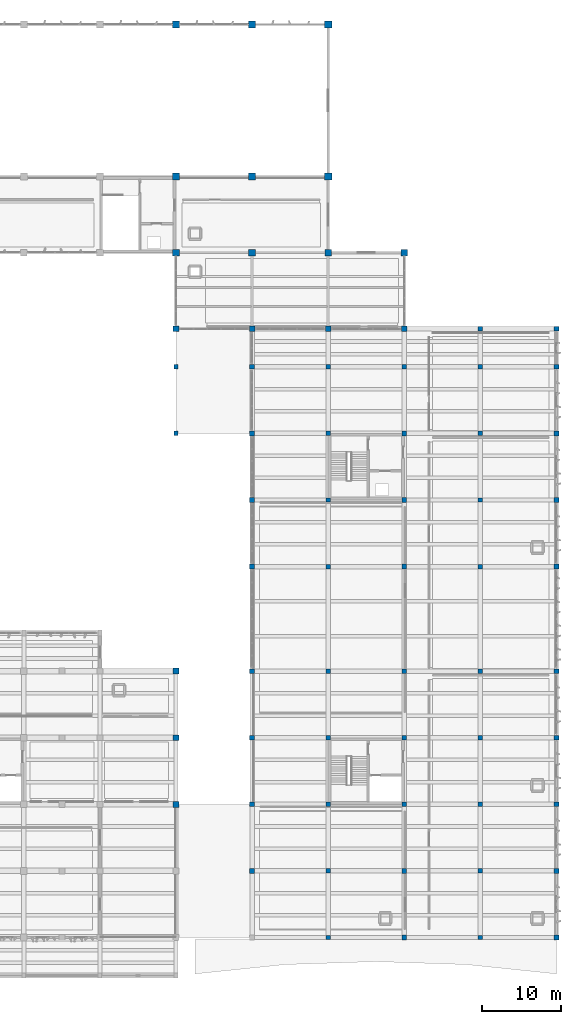
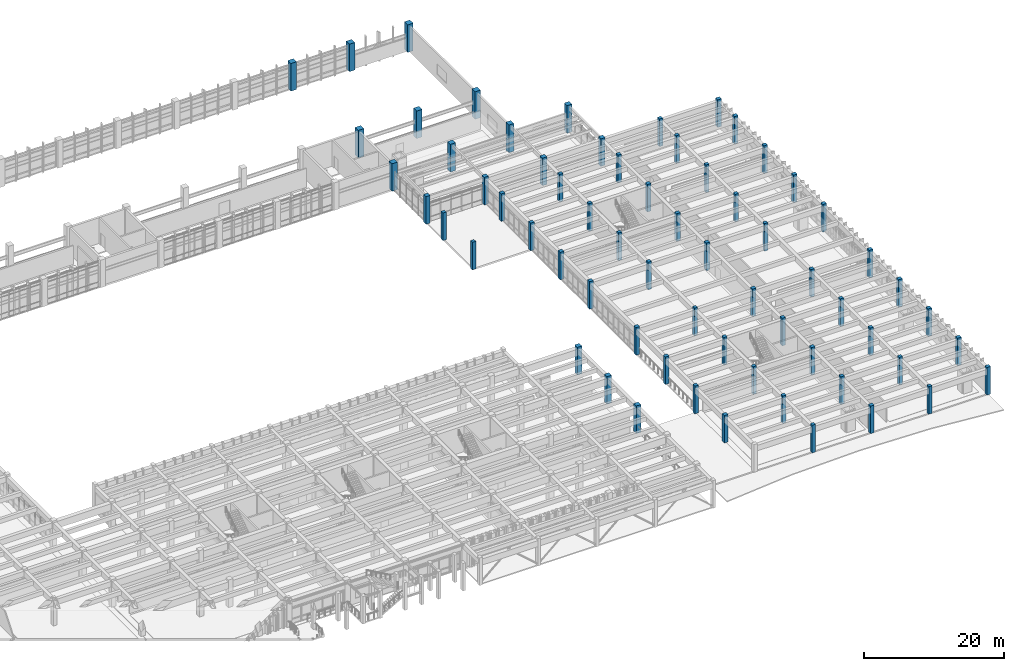
# One storey, part 2 of 86: 65 columns.
"""IFC4 building model written with IfcOpenShell, lengths in metres."""

import ifcopenshell
import ifcopenshell.guid

model = None  # the IFC model being written
_history = None  # IfcOwnerHistory: only IFC2X3 demands one
_inside = {}  # id of a spatial element -> (the spatial element, [elements in it])
_under = {}  # id of a project, library or spatial element -> (it, [spatial elements below it])
_declared = {}  # id of a project -> (the project, [libraries it declares])
_typed = {}  # id of a type object -> (the type object, [elements of that type])
_made_of = {}  # id of a material, layer set ... -> (it, [elements and type objects made of it])


def new_model(schema):
    """Start an empty IFC model of exactly this schema.

    Asked for "IFC4X3", IfcOpenShell would pick the latest addendum, in which some entities
    have other attributes; the version numbers below select the first issue.
    IFC2X3 requires an IfcOwnerHistory on every rooted entity: one is made here for all.
    """
    global model, _history
    if schema == "IFC4X3":
        model = ifcopenshell.file(schema_version=(4, 3, 0, 0))
    else:
        model = ifcopenshell.file(schema=schema)
    _inside.clear()
    _under.clear()
    _declared.clear()
    _typed.clear()
    _made_of.clear()
    _history = None
    if model.schema == "IFC2X3":
        org = make("IfcOrganization", Name="unknown")
        user = make(
            "IfcPersonAndOrganization",
            ThePerson=make("IfcPerson", FamilyName="unknown"),
            TheOrganization=org,
        )
        app = make(
            "IfcApplication",
            ApplicationDeveloper=org,
            Version="unknown",
            ApplicationFullName="unknown",
            ApplicationIdentifier="unknown",
        )
        _history = make(
            "IfcOwnerHistory",
            OwningUser=user,
            OwningApplication=app,
            ChangeAction="ADDED",
            CreationDate=0,
        )
    return model


def make(cls, **values):
    """One entity of the class cls with the attributes given. An attribute that is None is left unset."""
    return model.create_entity(
        cls, **{name: value for name, value in values.items() if value is not None}
    )


def rooted(cls, **values):
    """An entity with a GlobalId (a new one), such as an element, a storey or a relation."""
    return make(cls, GlobalId=ifcopenshell.guid.new(), OwnerHistory=_history, **values)


def si_unit(unit_type, name, prefix=None):
    """IfcSIUnit, for example si_unit("LENGTHUNIT", "METRE", prefix="MILLI")."""
    return make("IfcSIUnit", UnitType=unit_type, Prefix=prefix, Name=name)


def assignment(units):
    """IfcUnitAssignment: the units of a project."""
    return None if units is None else make("IfcUnitAssignment", Units=units)


def point(xyz):
    """IfcCartesianPoint."""
    return None if xyz is None else make("IfcCartesianPoint", Coordinates=xyz)


def direction(xyz):
    """IfcDirection."""
    return None if xyz is None else make("IfcDirection", DirectionRatios=xyz)


def frame(location, z_axis=None, x_axis=None):
    """IfcAxis2Placement3D, a coordinate frame: its origin and axes. An axis left out is left unset."""
    return make(
        "IfcAxis2Placement3D",
        Location=point(location),
        Axis=direction(z_axis),
        RefDirection=direction(x_axis),
    )


def frame_2d(location, x_axis=None):
    """IfcAxis2Placement2D, a coordinate frame in the plane: its origin and x axis."""
    return make(
        "IfcAxis2Placement2D", Location=point(location), RefDirection=direction(x_axis)
    )


def origin():
    """The frame at (0, 0, 0) with its axes left unset."""
    return frame((0.0, 0.0, 0.0))


def origin_2d():
    """The frame at (0, 0) in the plane with its x axis left unset."""
    return frame_2d((0.0, 0.0))


def place(relative_to, where):
    """IfcLocalPlacement: puts the frame where relative to a parent placement (None: the world)."""
    return make(
        "IfcLocalPlacement", PlacementRelTo=relative_to, RelativePlacement=where
    )


def context(
    kind, dimensions, precision=None, world=None, true_north=None, identifier=None
):
    """IfcGeometricRepresentationContext, for example the 3D "Model" context."""
    return make(
        "IfcGeometricRepresentationContext",
        ContextIdentifier=identifier,
        ContextType=kind,
        CoordinateSpaceDimension=dimensions,
        Precision=precision,
        WorldCoordinateSystem=world,
        TrueNorth=true_north,
    )


def subcontext(parent, identifier, kind, view, scale=None):
    """IfcGeometricRepresentationSubContext, for example "Body" below "Model"."""
    return make(
        "IfcGeometricRepresentationSubContext",
        ContextIdentifier=identifier,
        ContextType=kind,
        ParentContext=parent,
        TargetScale=scale,
        TargetView=view,
    )


def project(units=None, contexts=None):
    """IfcProject with its units and contexts."""
    return rooted(
        "IfcProject",
        Name="project",
        RepresentationContexts=contexts,
        UnitsInContext=assignment(units),
    )


def spatial(cls, under=None, at=None, **own):
    """A site, building, storey or space (cls), placed at a placement, below another one or the project."""
    s = rooted(cls, ObjectPlacement=at, **own)
    if under is not None:
        _under.setdefault(under.id(), (under, []))[1].append(s)
    return s


def profile(cls, at=None, kind="AREA", **sizes):
    """A parametric profile (cls). Its sizes go by their IFC names, for example OverallWidth=200.0."""
    return make(cls, ProfileType=kind, Position=at, **sizes)


def rectangle(**sizes):
    """IfcRectangleProfileDef."""
    return profile("IfcRectangleProfileDef", **sizes)


def extrude(swept, where, along, depth):
    """IfcExtrudedAreaSolid: the profile swept, set in the frame where, extruded along a direction by depth."""
    return make(
        "IfcExtrudedAreaSolid",
        SweptArea=swept,
        Position=where,
        ExtrudedDirection=direction(along),
        Depth=depth,
    )


def shape(context_of_items, identifier, shape_type, items):
    """IfcShapeRepresentation: the items that make up one representation, for example the "Body"."""
    return make(
        "IfcShapeRepresentation",
        ContextOfItems=context_of_items,
        RepresentationIdentifier=identifier,
        RepresentationType=shape_type,
        Items=items,
    )


def material(Name=None, Category=None):
    """IfcMaterial."""
    return make("IfcMaterial", Name=Name, Category=Category)


def material_profile(
    of_material, cross_section, Name=None, Category=None, Priority=None
):
    """IfcMaterialProfile: a cross section and its material."""
    return make(
        "IfcMaterialProfile",
        Name=Name,
        Material=of_material,
        Profile=cross_section,
        Priority=Priority,
        Category=Category,
    )


def profile_set(profiles, Name=None, composite=None):
    """IfcMaterialProfileSet."""
    return make(
        "IfcMaterialProfileSet",
        Name=Name,
        MaterialProfiles=profiles,
        CompositeProfile=composite,
    )


def made_of(thing, what):
    """Note that an element or type object is made of a material, layer set ...; save() writes the relation."""
    if what is not None:
        _made_of.setdefault(what.id(), (what, []))[1].append(thing)
    return thing


def type_object(cls, material=None, **own):
    """A type object (cls), such as IfcWallType, which elements share."""
    return made_of(rooted(cls, **own), material)


def element(
    cls,
    number,
    at=None,
    inside=None,
    cuts=None,
    type_object=None,
    material=None,
    context=None,
    identifier="Body",
    shape_type=None,
    held_by="IfcProductDefinitionShape",
    body=None,
    shapes=None,
    **own,
):
    """One element of the class cls, such as IfcWall. Its Tag is "e" and its number.

    at: its placement. inside: the storey or other place that contains it. cuts: it is an
    opening in that element (IfcRelVoidsElement). A single representation is given by context,
    identifier, shape_type and body (its items); several are given by shapes. held_by: the class
    of the entity that holds the representations. save() writes the other relations.
    """
    e = rooted(cls, Tag="e%d" % number, ObjectPlacement=at, **own)
    if body is not None:
        shapes = [shape(context, identifier, shape_type, body)]
    if shapes is not None:
        e.Representation = make(held_by, Representations=shapes)
    if inside is not None:
        _inside.setdefault(inside.id(), (inside, []))[1].append(e)
    if cuts is not None:
        rooted(
            "IfcRelVoidsElement", RelatingBuildingElement=cuts, RelatedOpeningElement=e
        )
    if type_object is not None:
        _typed.setdefault(type_object.id(), (type_object, []))[1].append(e)
    return made_of(e, material)


def aggregate(whole, parts):
    """IfcRelAggregates: a whole, such as a stair, and the parts it consists of."""
    return rooted("IfcRelAggregates", RelatingObject=whole, RelatedObjects=parts)


def save(model, path):
    """Write the relations noted so far, then the file.

    IfcRelAggregates (storeys below a building ...), IfcRelContainedInSpatialStructure (elements
    in a storey), IfcRelDefinesByType, IfcRelAssociatesMaterial and IfcRelDeclares: one each for
    every whole, place, type object, material and project.
    """
    for whole, parts in _under.values():
        aggregate(whole, parts)
    for where, things in _inside.values():
        rooted(
            "IfcRelContainedInSpatialStructure",
            RelatedElements=things,
            RelatingStructure=where,
        )
    for kind, things in _typed.values():
        rooted("IfcRelDefinesByType", RelatedObjects=things, RelatingType=kind)
    for what, things in _made_of.values():
        rooted("IfcRelAssociatesMaterial", RelatedObjects=things, RelatingMaterial=what)
    for by, libraries in _declared.values():
        rooted("IfcRelDeclares", RelatingContext=by, RelatedDefinitions=libraries)
    model.write(path)


model = new_model("IFC4")

# Units and contexts
model_context = context("Model", 3, precision=1e-05, world=origin(), true_north=direction((0.0, 1.0)))
body_context = subcontext(model_context, "Body", "Model", "MODEL_VIEW")
ifc_project = project(units=[si_unit("LENGTHUNIT", "METRE"), si_unit("AREAUNIT", "SQUARE_METRE"), si_unit("VOLUMEUNIT", "CUBIC_METRE"), si_unit("PLANEANGLEUNIT", "RADIAN"), si_unit("MASSUNIT", "GRAM", prefix="KILO")], contexts=[model_context])

# Site, building, storey
site_placement = place(None, origin())
site = spatial("IfcSite", under=ifc_project, at=site_placement, CompositionType="ELEMENT")
building_placement = place(site_placement, origin())
building = spatial("IfcBuilding", under=site, at=building_placement, Name="Kolvemor Railside Polytechnic", CompositionType="ELEMENT")
storey_placement = place(building_placement, frame((0.0, 0.0, 5.39990234375)))
storey = spatial("IfcBuildingStorey", under=building, at=storey_placement, Name="L01", CompositionType="ELEMENT", Elevation=5.39990234375)

# Columns
ifc_material_1 = material(Name="Concrete C40/50", Category="concrete")
ifc_material_profile_1 = material_profile(ifc_material_1, rectangle(XDim=0.550048828125, YDim=0.550048828125, at=origin_2d()), Name="RC550x550")
ifc_profile_set_1 = profile_set([ifc_material_profile_1], Name="Concrete C40/50")
column_type_1 = type_object("IfcColumnType", Name="COL-RC550", PredefinedType="COLUMN", material=ifc_profile_set_1)
for number, where, z_axis, x_axis, name in (
    (1, (134.39990234375, 68.39990234375, 0.0), (0.0, 0.0, 1.0), (1.0, 0.0, 0.0), "Column L01-C182"),
    (2, (134.39990234375, 76.800048828125, 0.0), (0.0, 0.0, 1.0), (1.0, 0.0, 0.0), "Column L01-C183"),
    (3, (153.60009765625, 4.800048828125, 0.0), (0.0, 0.0, 1.0), (1.0, 0.0, 0.0), "Column L01-C201"),
    (4, (153.60009765625, 13.199951171875, 0.0), (0.0, 0.0, 1.0), (1.0, 0.0, 0.0), "Column L01-C202"),
    (5, (153.60009765625, 21.60009765625, 0.0), (0.0, 0.0, 1.0), (1.0, 0.0, 0.0), "Column L01-C203"),
    (6, (153.60009765625, 30.0, 0.0), (0.0, 0.0, 1.0), (1.0, 0.0, 0.0), "Column L01-C204"),
    (7, (153.60009765625, 38.39990234375, 0.0), (0.0, 0.0, 1.0), (1.0, 0.0, 0.0), "Column L01-C205"),
    (8, (153.60009765625, 51.60009765625, 0.0), (0.0, 0.0, 1.0), (1.0, 0.0, 0.0), "Column L01-C206"),
    (9, (153.60009765625, 60.0, 0.0), (0.0, 0.0, 1.0), (1.0, 0.0, 0.0), "Column L01-C207"),
    (10, (153.60009765625, 68.39990234375, 0.0), (0.0, 0.0, 1.0), (1.0, 0.0, 0.0), "Column L01-C208"),
    (11, (153.60009765625, 76.800048828125, 0.0), (0.0, 0.0, 1.0), (1.0, 0.0, 0.0), "Column L01-C209"),
    (12, (172.800048828125, 4.800048828125, 0.0), (0.0, 0.0, 1.0), (1.0, 0.0, 0.0), "Column L01-C225"),
    (13, (172.800048828125, 13.199951171875, 0.0), (0.0, 0.0, 1.0), (1.0, 0.0, 0.0), "Column L01-C226"),
    (14, (172.800048828125, 21.60009765625, 0.0), (0.0, 0.0, 1.0), (1.0, 0.0, 0.0), "Column L01-C227"),
    (15, (172.800048828125, 30.0, 0.0), (0.0, 0.0, 1.0), (1.0, 0.0, 0.0), "Column L01-C228"),
    (16, (172.800048828125, 38.39990234375, 0.0), (0.0, 0.0, 1.0), (1.0, 0.0, 0.0), "Column L01-C229"),
    (17, (172.800048828125, 51.60009765625, 0.0), (0.0, 0.0, 1.0), (1.0, 0.0, 0.0), "Column L01-C230"),
    (18, (172.800048828125, 60.0, 0.0), (0.0, 0.0, 1.0), (1.0, 0.0, 0.0), "Column L01-C231"),
    (19, (172.800048828125, 68.39990234375, 0.0), (0.0, 0.0, 1.0), (1.0, 0.0, 0.0), "Column L01-C232"),
    (20, (172.800048828125, 76.800048828125, 0.0), (0.0, 0.0, 1.0), (1.0, 0.0, 0.0), "Column L01-C233"),
    (21, (172.800048828125, 81.60009765625, 0.0), (0.0, 0.0, 1.0), (1.0, 0.0, 0.0), "Column L01-C234"),
):
    element("IfcColumn", number, at=place(storey_placement, frame(where, z_axis=z_axis, x_axis=x_axis)), inside=storey, type_object=column_type_1, Name=name, PredefinedType="COLUMN", context=body_context, shape_type="SweptSolid", body=[
        extrude(rectangle(XDim=0.550048828125, YDim=0.550048828125, at=origin_2d()), origin(), (0.0, 0.0, 1.0), 4.800048828125),
    ])
ifc_material_2 = material(Name="Concrete C40/50", Category="concrete")
ifc_material_profile_2 = material_profile(ifc_material_2, rectangle(XDim=0.60009765625, YDim=0.60009765625, at=origin_2d()), Name="RC600x600")
ifc_profile_set_2 = profile_set([ifc_material_profile_2], Name="Concrete C40/50")
column_type_2 = type_object("IfcColumnType", Name="COL-RC600", PredefinedType="COLUMN", material=ifc_profile_set_2)
for number, where, z_axis, x_axis, name in (
    (22, (144.0, 13.199951171875, 0.0), (0.0, 0.0, 1.0), (1.0, 0.0, 0.0), "Column L01-C189"),
    (23, (144.0, 21.60009765625, 0.0), (0.0, 0.0, 1.0), (1.0, 0.0, 0.0), "Column L01-C190"),
    (24, (144.0, 30.0, 0.0), (0.0, 0.0, 1.0), (1.0, 0.0, 0.0), "Column L01-C191"),
    (25, (144.0, 38.39990234375, 0.0), (0.0, 0.0, 1.0), (1.0, 0.0, 0.0), "Column L01-C192"),
    (26, (144.0, 51.60009765625, 0.0), (0.0, 0.0, 1.0), (1.0, 0.0, 0.0), "Column L01-C193"),
    (27, (144.0, 60.0, 0.0), (0.0, 0.0, 1.0), (1.0, 0.0, 0.0), "Column L01-C194"),
    (28, (144.0, 68.39990234375, 0.0), (0.0, 0.0, 1.0), (1.0, 0.0, 0.0), "Column L01-C195"),
    (29, (144.0, 76.800048828125, 0.0), (0.0, 0.0, 1.0), (1.0, 0.0, 0.0), "Column L01-C196"),
    (30, (163.199951171875, 4.800048828125, 0.0), (0.0, 0.0, 1.0), (1.0, 0.0, 0.0), "Column L01-C214"),
    (31, (163.199951171875, 13.199951171875, 0.0), (0.0, 0.0, 1.0), (1.0, 0.0, 0.0), "Column L01-C215"),
    (32, (163.199951171875, 21.60009765625, 0.0), (0.0, 0.0, 1.0), (1.0, 0.0, 0.0), "Column L01-C216"),
    (33, (163.199951171875, 30.0, 0.0), (0.0, 0.0, 1.0), (1.0, 0.0, 0.0), "Column L01-C217"),
    (34, (163.199951171875, 38.39990234375, 0.0), (0.0, 0.0, 1.0), (1.0, 0.0, 0.0), "Column L01-C218"),
    (35, (163.199951171875, 51.60009765625, 0.0), (0.0, 0.0, 1.0), (1.0, 0.0, 0.0), "Column L01-C219"),
    (36, (163.199951171875, 60.0, 0.0), (0.0, 0.0, 1.0), (1.0, 0.0, 0.0), "Column L01-C220"),
    (37, (163.199951171875, 68.39990234375, 0.0), (0.0, 0.0, 1.0), (1.0, 0.0, 0.0), "Column L01-C221"),
    (38, (163.199951171875, 76.800048828125, 0.0), (0.0, 0.0, 1.0), (1.0, 0.0, 0.0), "Column L01-C222"),
    (39, (182.39990234375, 4.800048828125, 0.0), (0.0, 0.0, 1.0), (1.0, 0.0, 0.0), "Column L01-C235"),
    (40, (182.39990234375, 13.199951171875, 0.0), (0.0, 0.0, 1.0), (1.0, 0.0, 0.0), "Column L01-C236"),
    (41, (182.39990234375, 21.60009765625, 0.0), (0.0, 0.0, 1.0), (1.0, 0.0, 0.0), "Column L01-C237"),
    (42, (182.39990234375, 30.0, 0.0), (0.0, 0.0, 1.0), (1.0, 0.0, 0.0), "Column L01-C238"),
    (43, (182.39990234375, 38.39990234375, 0.0), (0.0, 0.0, 1.0), (1.0, 0.0, 0.0), "Column L01-C239"),
    (44, (182.39990234375, 51.60009765625, 0.0), (0.0, 0.0, 1.0), (1.0, 0.0, 0.0), "Column L01-C240"),
    (45, (182.39990234375, 60.0, 0.0), (0.0, 0.0, 1.0), (1.0, 0.0, 0.0), "Column L01-C241"),
    (46, (182.39990234375, 68.39990234375, 0.0), (0.0, 0.0, 1.0), (1.0, 0.0, 0.0), "Column L01-C242"),
    (47, (182.39990234375, 76.800048828125, 0.0), (0.0, 0.0, 1.0), (1.0, 0.0, 0.0), "Column L01-C243"),
    (48, (182.39990234375, 81.60009765625, 0.0), (0.0, 0.0, 1.0), (1.0, 0.0, 0.0), "Column L01-C244"),
):
    element("IfcColumn", number, at=place(storey_placement, frame(where, z_axis=z_axis, x_axis=x_axis)), inside=storey, type_object=column_type_2, Name=name, PredefinedType="COLUMN", context=body_context, shape_type="SweptSolid", body=[
        extrude(rectangle(XDim=0.60009765625, YDim=0.60009765625, at=origin_2d()), origin(), (0.0, 0.0, 1.0), 4.800048828125),
    ])
ifc_material_3 = material(Name="Concrete C40/50", Category="concrete")
ifc_material_profile_3 = material_profile(ifc_material_3, rectangle(XDim=0.699951171875, YDim=0.699951171875, at=origin_2d()), Name="RC700x700")
ifc_profile_set_3 = profile_set([ifc_material_profile_3], Name="Concrete C40/50")
column_type_3 = type_object("IfcColumnType", Name="COL-RC700", PredefinedType="COLUMN", material=ifc_profile_set_3)
for number, where, z_axis, x_axis, name in (
    (49, (134.39990234375, 81.60009765625, 0.0), (0.0, 0.0, 1.0), (1.0, 0.0, 0.0), "Column L01-C184"),
    (50, (144.0, 81.60009765625, 0.0), (0.0, 0.0, 1.0), (1.0, 0.0, 0.0), "Column L01-C197"),
    (51, (153.60009765625, 81.60009765625, 0.0), (0.0, 0.0, 1.0), (1.0, 0.0, 0.0), "Column L01-C210"),
    (52, (163.199951171875, 81.60009765625, 0.0), (0.0, 0.0, 1.0), (1.0, 0.0, 0.0), "Column L01-C223"),
):
    element("IfcColumn", number, at=place(storey_placement, frame(where, z_axis=z_axis, x_axis=x_axis)), inside=storey, type_object=column_type_3, Name=name, PredefinedType="COLUMN", context=body_context, shape_type="SweptSolid", body=[
        extrude(rectangle(XDim=0.699951171875, YDim=0.699951171875, at=origin_2d()), origin(), (0.0, 0.0, 1.0), 4.800048828125),
    ])
ifc_material_4 = material(Name="Concrete C40/50", Category="concrete")
ifc_material_profile_4 = material_profile(ifc_material_4, rectangle(XDim=0.75, YDim=0.75, at=origin_2d()), Name="RC750x750")
ifc_profile_set_4 = profile_set([ifc_material_profile_4], Name="Concrete C40/50")
column_type_4 = type_object("IfcColumnType", Name="COL-RC750", PredefinedType="COLUMN", material=ifc_profile_set_4)
for number, where, z_axis, x_axis, name in (
    (53, (134.39990234375, 21.60009765625, 0.0), (0.0, 0.0, 1.0), (1.0, 0.0, 0.0), "Column L01-C179"),
    (54, (134.39990234375, 30.0, 0.0), (0.0, 0.0, 1.0), (1.0, 0.0, 0.0), "Column L01-C180"),
    (55, (134.39990234375, 38.39990234375, 0.0), (0.0, 0.0, 1.0), (1.0, 0.0, 0.0), "Column L01-C181"),
):
    element("IfcColumn", number, at=place(storey_placement, frame(where, z_axis=z_axis, x_axis=x_axis)), inside=storey, type_object=column_type_4, Name=name, PredefinedType="COLUMN", context=body_context, shape_type="SweptSolid", body=[
        extrude(rectangle(XDim=0.75, YDim=0.75, at=origin_2d()), origin(), (0.0, 0.0, 1.0), 4.800048828125),
    ])
ifc_material_5 = material(Name="Concrete C40/50", Category="concrete")
ifc_material_profile_5 = material_profile(ifc_material_5, rectangle(XDim=0.800048828125, YDim=0.800048828125, at=origin_2d()), Name="RC800x800")
ifc_profile_set_5 = profile_set([ifc_material_profile_5], Name="Concrete C40/50")
column_type_5 = type_object("IfcColumnType", Name="COL-RC800", PredefinedType="COLUMN", material=ifc_profile_set_5)
column_placement = place(storey_placement, frame((163.199951171875, 91.199951171875, 0.0), z_axis=(0.0, 0.0, 1.0), x_axis=(1.0, 0.0, 0.0)))
element("IfcColumn", 56, at=column_placement, inside=storey, type_object=column_type_5, Name="Column L01-C224", PredefinedType="COLUMN", context=body_context, shape_type="SweptSolid", body=[
    extrude(rectangle(XDim=0.800048828125, YDim=0.800048828125, at=origin_2d()), origin(), (0.0, 0.0, 1.0), 4.800048828125),
])
ifc_material_6 = material(Name="Concrete C40/50", Category="concrete")
ifc_material_profile_6 = material_profile(ifc_material_6, rectangle(XDim=0.85009765625, YDim=0.85009765625, at=origin_2d()), Name="RC850x850")
ifc_profile_set_6 = profile_set([ifc_material_profile_6], Name="Concrete C40/50")
column_type_6 = type_object("IfcColumnType", Name="COL-RC850", PredefinedType="COLUMN", material=ifc_profile_set_6)
for number, where, z_axis, x_axis, name in (
    (57, (134.39990234375, 91.199951171875, 0.0), (0.0, 0.0, 1.0), (1.0, 0.0, 0.0), "Column L01-C185"),
    (58, (144.0, 91.199951171875, 0.0), (0.0, 0.0, 1.0), (1.0, 0.0, 0.0), "Column L01-C198"),
    (59, (153.60009765625, 91.199951171875, 0.0), (0.0, 0.0, 1.0), (1.0, 0.0, 0.0), "Column L01-C211"),
):
    element("IfcColumn", number, at=place(storey_placement, frame(where, z_axis=z_axis, x_axis=x_axis)), inside=storey, type_object=column_type_6, Name=name, PredefinedType="COLUMN", context=body_context, shape_type="SweptSolid", body=[
        extrude(rectangle(XDim=0.85009765625, YDim=0.85009765625, at=origin_2d()), origin(), (0.0, 0.0, 1.0), 4.800048828125),
    ])
ifc_material_7 = material(Name="Concrete C40/50", Category="concrete")
ifc_material_profile_7 = material_profile(ifc_material_7, rectangle(XDim=0.89990234375, YDim=0.89990234375, at=origin_2d()), Name="RC900x900")
ifc_profile_set_7 = profile_set([ifc_material_profile_7], Name="Concrete C40/50")
column_type_7 = type_object("IfcColumnType", Name="COL-RC900", PredefinedType="COLUMN", material=ifc_profile_set_7)
for number, where, z_axis, x_axis, name in (
    (60, (134.39990234375, 100.800048828125, 0.0), (0.0, 0.0, 1.0), (1.0, 0.0, 0.0), "Column L01-C186"),
    (61, (134.39990234375, 120.0, 0.0), (0.0, 0.0, 1.0), (1.0, 0.0, 0.0), "Column L01-C187"),
    (62, (144.0, 100.800048828125, 0.0), (0.0, 0.0, 1.0), (1.0, 0.0, 0.0), "Column L01-C199"),
    (63, (144.0, 120.0, 0.0), (0.0, 0.0, 1.0), (1.0, 0.0, 0.0), "Column L01-C200"),
    (64, (153.60009765625, 100.800048828125, 0.0), (0.0, 0.0, 1.0), (1.0, 0.0, 0.0), "Column L01-C212"),
    (65, (153.60009765625, 120.0, 0.0), (0.0, 0.0, 1.0), (1.0, 0.0, 0.0), "Column L01-C213"),
):
    element("IfcColumn", number, at=place(storey_placement, frame(where, z_axis=z_axis, x_axis=x_axis)), inside=storey, type_object=column_type_7, Name=name, PredefinedType="COLUMN", context=body_context, shape_type="SweptSolid", body=[
        extrude(rectangle(XDim=0.89990234375, YDim=0.89990234375, at=origin_2d()), origin(), (0.0, 0.0, 1.0), 4.800048828125),
    ])

save(model, "model.ifc")
